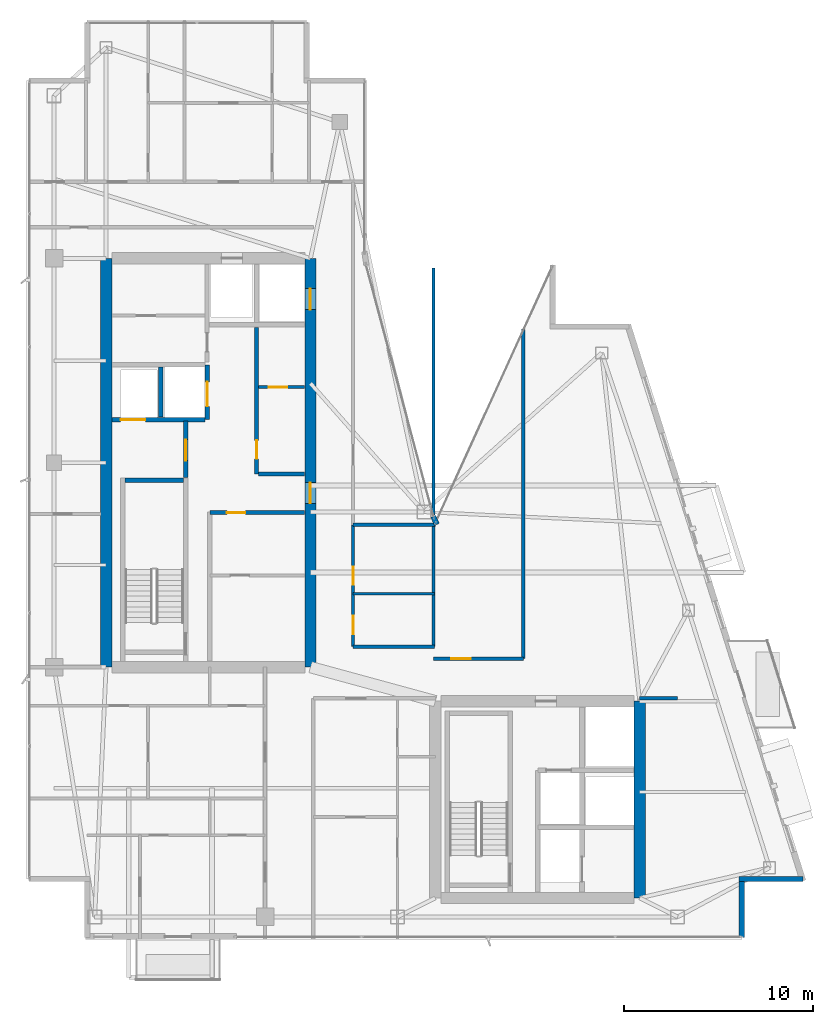
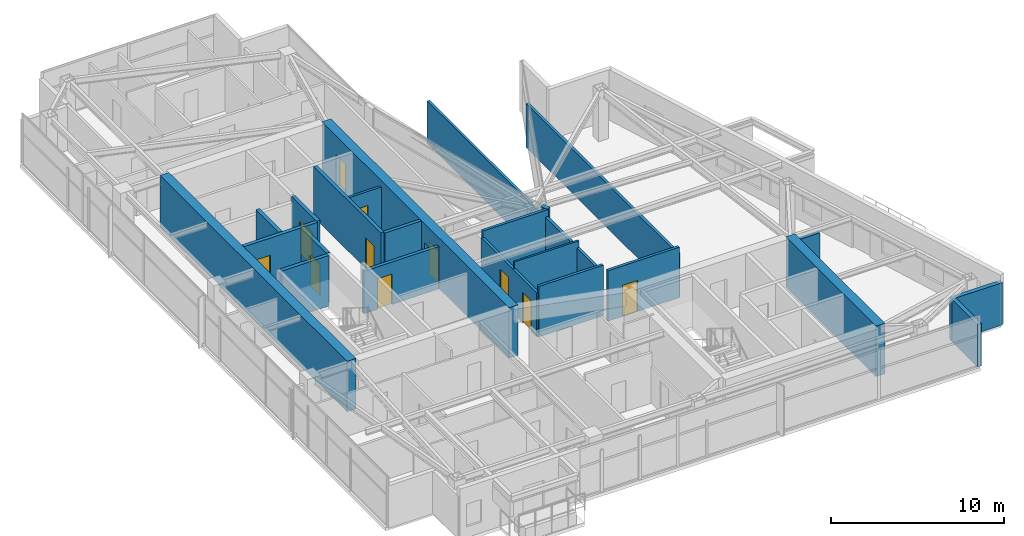
# One storey, part 23 of 27: 24 walls, 11 doors, 11 openings.
"""IFC4 building model written with IfcOpenShell, lengths in metres."""

from ifc_helpers import new_model, si_unit, direction, frame, frame_2d, origin, place, context, subcontext, project, spatial, rectangle, extrude, material, layer, layer_set, type_object, element, fill, save


model = new_model("IFC4")

# Units and contexts
model_context = context("Model", 3, precision=1e-05, world=origin(), true_north=direction((0.0, 1.0)))
body_context = subcontext(model_context, "Body", "Model", "MODEL_VIEW")
ifc_project = project(units=[si_unit("LENGTHUNIT", "METRE"), si_unit("AREAUNIT", "SQUARE_METRE"), si_unit("VOLUMEUNIT", "CUBIC_METRE"), si_unit("PLANEANGLEUNIT", "RADIAN"), si_unit("MASSUNIT", "GRAM", prefix="KILO")], contexts=[model_context])

# Site, building, storey
site_placement = place(None, origin())
site = spatial("IfcSite", under=ifc_project, at=site_placement, CompositionType="ELEMENT")
building_placement = place(site_placement, origin())
building = spatial("IfcBuilding", under=site, at=building_placement, Name="Calvorn Quay Hotel", CompositionType="ELEMENT")
storey_placement = place(building_placement, frame((0.0, 0.0, 298.699951171875)))
storey = spatial("IfcBuildingStorey", under=building, at=storey_placement, Name="L74", CompositionType="ELEMENT", Elevation=298.699951171875)

# Wall
ifc_material_1 = material(Name="Concrete C45", Category="concrete")
ifc_layer_1 = layer(ifc_material_1, 0.60009765625)
ifc_layer_set_1 = layer_set([ifc_layer_1], Name="WL-CORE-600")
wall_type_1 = type_object("IfcWallType", Name="WL-CORE-600", PredefinedType="SHEAR", material=ifc_layer_set_1)
wall_1_placement = place(storey_placement, frame((4.199951171875, 16.800048828125, 0.0), z_axis=(0.0, 0.0, 1.0), x_axis=(0.0, 1.0, 0.0)))
element("IfcWall", 1, at=wall_1_placement, inside=storey, type_object=wall_type_1, Name="West Core Shear Wall W (L74)", PredefinedType="SHEAR", context=body_context, shape_type="SweptSolid", body=[
    extrude(rectangle(XDim=21.599853515625, YDim=0.60009765625, at=frame_2d((10.7998046875, 0.0))), origin(), (0.0, 0.0, 1.0), 3.56005859375),
])

# Wall, openings, doors
wall_2_placement = place(storey_placement, frame((15.0, 16.800048828125, 0.0), z_axis=(0.0, 0.0, 1.0), x_axis=(0.0, 1.0, 0.0)))
wall_2 = element("IfcWall", 2, at=wall_2_placement, inside=storey, type_object=wall_type_1, Name="West Core Shear Wall E (L74)", PredefinedType="SHEAR", context=body_context, shape_type="SweptSolid", body=[
    extrude(rectangle(XDim=21.599853515625, YDim=0.60009765625, at=frame_2d((10.7998046875, 0.0))), origin(), (0.0, 0.0, 1.0), 3.56005859375),
])
opening_1_placement = place(wall_2_placement, frame((8.64990234375, 0.0, 0.0)))
opening_1 = element("IfcOpeningElement", 3, at=opening_1_placement, cuts=wall_2, Name="Opening D-L74-CW1", PredefinedType="OPENING", context=body_context, shape_type="SweptSolid", body=[
    extrude(rectangle(XDim=1.10009765625, YDim=2.199951171875, at=frame_2d((0.550048828125, 1.10009765625))), frame((0.0, 0.31005859375, 0.0), z_axis=(0.0, -1.0, 0.0), x_axis=(1.0, 0.0, 0.0)), (0.0, 0.0, 1.0), 0.6201171875),
])
opening_2_placement = place(wall_2_placement, frame((18.89990234375, 0.0, 0.0)))
opening_2 = element("IfcOpeningElement", 4, at=opening_2_placement, cuts=wall_2, Name="Opening LD-L74-H1", PredefinedType="OPENING", context=body_context, shape_type="SweptSolid", body=[
    extrude(rectangle(XDim=1.10009765625, YDim=2.199951171875, at=frame_2d((0.550048828125, 1.10009765625))), frame((0.0, 0.31005859375, 0.0), z_axis=(0.0, -1.0, 0.0), x_axis=(1.0, 0.0, 0.0)), (0.0, 0.0, 1.0), 0.6201171875),
])
ifc_material_2 = material(Name="Smoke-Sealed Steel Class A Fire Door", Category="steel")
door_type_1 = type_object("IfcDoorType", Name="DR-FFLOBBY-1100", OperationType="NOTDEFINED", PredefinedType="DOOR", material=ifc_material_2)
door_1_placement = place(opening_1_placement, origin())
door_1 = element("IfcDoor", 5, at=door_1_placement, inside=storey, type_object=door_type_1, Name="West Core Vestibule Fire Door (L74)", OperationType="SINGLE_SWING_LEFT", OverallHeight=2.199951171875, OverallWidth=1.10009765625, PredefinedType="DOOR", context=body_context, shape_type="SweptSolid", body=[
    extrude(rectangle(XDim=1.10009765625, YDim=2.199951171875, at=frame_2d((0.550048828125, 1.10009765625))), frame((0.0, 0.02490234375, 0.0), z_axis=(0.0, -1.0, 0.0), x_axis=(1.0, 0.0, 0.0)), (0.0, 0.0, 1.0), 0.050048828125),
])
fill(opening_1, door_1)
ifc_material_3 = material(Name="Brushed Stainless Steel Sliding Lift Landing Door", Category="steel")
door_type_2 = type_object("IfcDoorType", Name="DR-LIFT-PASS-1100", OperationType="NOTDEFINED", PredefinedType="DOOR", material=ifc_material_3)
door_2_placement = place(opening_2_placement, origin())
door_2 = element("IfcDoor", 6, at=door_2_placement, inside=storey, type_object=door_type_2, Name="High-Rise Lift PL-H1 Landing Door (L74)", OperationType="DOUBLE_DOOR_SLIDING", OverallHeight=2.199951171875, OverallWidth=1.10009765625, PredefinedType="DOOR", context=body_context, shape_type="SweptSolid", body=[
    extrude(rectangle(XDim=1.10009765625, YDim=2.199951171875, at=frame_2d((0.550048828125, 1.10009765625))), frame((0.0, 0.02490234375, 0.0), z_axis=(0.0, -1.0, 0.0), x_axis=(1.0, 0.0, 0.0)), (0.0, 0.0, 1.0), 0.050048828125),
])
fill(opening_2, door_2)

# Walls
wall_3_placement = place(storey_placement, frame((32.39990234375, 4.60009765625, 0.0), z_axis=(0.0, 0.0, 1.0), x_axis=(0.0, 1.0, 0.0)))
element("IfcWall", 7, at=wall_3_placement, inside=storey, type_object=wall_type_1, Name="East Core Shear Wall E (L74)", PredefinedType="SHEAR", context=body_context, shape_type="SweptSolid", body=[
    extrude(rectangle(XDim=10.39990234375, YDim=0.60009765625, at=frame_2d((5.199951171875, 0.0))), origin(), (0.0, 0.0, 1.0), 3.56005859375),
])
ifc_material_4 = material(Name="Acoustic Fireboard Steel-Stud Partition", Category="steel")
ifc_layer_2 = layer(ifc_material_4, 0.179931640625)
ifc_layer_set_2 = layer_set([ifc_layer_2], Name="WL-CORR-FIRE-180")
wall_type_2 = type_object("IfcWallType", Name="WL-CORR-FIRE-180", PredefinedType="PARTITIONING", material=ifc_layer_set_2)
wall_4_placement = place(storey_placement, frame((17.25, 17.8798828125, 0.0), z_axis=(0.0, 0.0, 1.0), x_axis=(1.0, 0.0, 0.0)))
element("IfcWall", 8, at=wall_4_placement, inside=storey, type_object=wall_type_2, Name="Partition Wall L74-WL-HK-S", PredefinedType="PARTITIONING", context=body_context, shape_type="SweptSolid", body=[
    extrude(rectangle(XDim=4.300048828125, YDim=0.179931640625, at=frame_2d((2.14990234375, 0.0))), origin(), (0.0, 0.0, 1.0), 3.56005859375),
])
wall_5_placement = place(storey_placement, frame((17.25, 24.320068359375, 0.0), z_axis=(0.0, 0.0, 1.0), x_axis=(1.0, 0.0, 0.0)))
element("IfcWall", 9, at=wall_5_placement, inside=storey, type_object=wall_type_2, Name="Partition Wall L74-WL-HK-N", PredefinedType="PARTITIONING", context=body_context, shape_type="SweptSolid", body=[
    extrude(rectangle(XDim=4.35009765625, YDim=0.179931640625, at=frame_2d((2.175048828125, 0.0))), origin(), (0.0, 0.0, 1.0), 3.56005859375),
])
wall_6_placement = place(storey_placement, frame((21.5, 17.8798828125, 0.0), z_axis=(0.0, 0.0, 1.0), x_axis=(0.0, 1.0, 0.0)))
element("IfcWall", 10, at=wall_6_placement, inside=storey, type_object=wall_type_2, Name="Partition Wall L74-WL-HK-E", PredefinedType="PARTITIONING", context=body_context, shape_type="SweptSolid", body=[
    extrude(rectangle(XDim=6.440185546875, YDim=0.179931640625, at=frame_2d((3.22021484375, 0.0))), origin(), (0.0, 0.0, 1.0), 3.090087890625),
])

# Wall, openings, doors
wall_7_placement = place(storey_placement, frame((17.25, 17.8798828125, 0.0), z_axis=(0.0, 0.0, 1.0), x_axis=(0.0, 1.0, 0.0)))
wall_7 = element("IfcWall", 11, at=wall_7_placement, inside=storey, type_object=wall_type_2, Name="Partition Wall L74-WL-HK-W", PredefinedType="PARTITIONING", context=body_context, shape_type="SweptSolid", body=[
    extrude(rectangle(XDim=6.440185546875, YDim=0.179931640625, at=frame_2d((3.22021484375, 0.0))), origin(), (0.0, 0.0, 1.0), 3.090087890625),
])
opening_3_placement = place(wall_7_placement, frame((0.64990234375, 0.0, 0.0)))
opening_3 = element("IfcOpeningElement", 12, at=opening_3_placement, cuts=wall_7, Name="Opening D-L74-HK", PredefinedType="OPENING", context=body_context, shape_type="SweptSolid", body=[
    extrude(rectangle(XDim=0.97998046875, YDim=2.14990234375, at=frame_2d((0.489990234375, 1.074951171875))), frame((0.0, 0.099853515625, 0.0), z_axis=(0.0, -1.0, 0.0), x_axis=(1.0, 0.0, 0.0)), (0.0, 0.0, 1.0), 0.199951171875),
])
opening_4_placement = place(wall_7_placement, frame((3.27001953125, 0.0, 0.0)))
opening_4 = element("IfcOpeningElement", 13, at=opening_4_placement, cuts=wall_7, Name="Opening D-L74-NCP", PredefinedType="OPENING", context=body_context, shape_type="SweptSolid", body=[
    extrude(rectangle(XDim=0.9599609375, YDim=2.199951171875, at=frame_2d((0.47998046875, 1.10009765625))), frame((0.0, 0.099853515625, 0.0), z_axis=(0.0, -1.0, 0.0), x_axis=(1.0, 0.0, 0.0)), (0.0, 0.0, 1.0), 0.199951171875),
])
ifc_material_5 = material(Name="Painted Steel Housekeeping/Riser Fire Door", Category="steel")
door_type_3 = type_object("IfcDoorType", Name="DR-SERVICE-980", OperationType="NOTDEFINED", PredefinedType="DOOR", material=ifc_material_5)
door_3_placement = place(opening_3_placement, origin())
door_3 = element("IfcDoor", 14, at=door_3_placement, inside=storey, type_object=door_type_3, Name="Floor Housekeeping Door (L74)", OperationType="SINGLE_SWING_LEFT", OverallHeight=2.14990234375, OverallWidth=0.97998046875, PredefinedType="DOOR", context=body_context, shape_type="SweptSolid", body=[
    extrude(rectangle(XDim=0.97998046875, YDim=2.14990234375, at=frame_2d((0.489990234375, 1.074951171875))), frame((0.0, 0.02490234375, 0.0), z_axis=(0.0, -1.0, 0.0), x_axis=(1.0, 0.0, 0.0)), (0.0, 0.0, 1.0), 0.050048828125),
])
fill(opening_3, door_3)
ifc_material_6 = material(Name="Solid Timber Internal Suite Door", Category="wood")
door_type_4 = type_object("IfcDoorType", Name="DR-SUITE-INT-960", OperationType="NOTDEFINED", PredefinedType="DOOR", material=ifc_material_6)
door_4_placement = place(opening_4_placement, origin())
door_4 = element("IfcDoor", 15, at=door_4_placement, inside=storey, type_object=door_type_4, Name="Reading Alcove Door (L74)", OperationType="SINGLE_SWING_RIGHT", OverallHeight=2.199951171875, OverallWidth=0.9599609375, PredefinedType="DOOR", context=body_context, shape_type="SweptSolid", body=[
    extrude(rectangle(XDim=0.9599609375, YDim=2.199951171875, at=frame_2d((0.47998046875, 1.10009765625))), frame((0.0, 0.02490234375, 0.0), z_axis=(0.0, -1.0, 0.0), x_axis=(1.0, 0.0, 0.0)), (0.0, 0.0, 1.0), 0.050048828125),
])
fill(opening_4, door_4)

# Wall
wall_8_placement = place(storey_placement, frame((32.39990234375, 15.14990234375, 0.0), z_axis=(0.0, 0.0, 1.0), x_axis=(1.0, 0.0, 0.0)))
element("IfcWall", 16, at=wall_8_placement, inside=storey, type_object=wall_type_2, Name="Partition Wall L74-WL-CORR-SE-S", PredefinedType="PARTITIONING", context=body_context, shape_type="SweptSolid", body=[
    extrude(rectangle(XDim=2.0, YDim=0.179931640625, at=frame_2d((1.0, 0.0))), origin(), (0.0, 0.0, 1.0), 2.989990234375),
])

# Wall, opening, door
wall_9_placement = place(storey_placement, frame((21.5, 17.25, 0.0), z_axis=(0.0, 0.0, 1.0), x_axis=(1.0, 0.0, 0.0)))
wall_9 = element("IfcWall", 17, at=wall_9_placement, inside=storey, type_object=wall_type_2, Name="Partition Wall L74-WL-CORR-NE-N", PredefinedType="PARTITIONING", context=body_context, shape_type="SweptSolid", body=[
    extrude(rectangle(XDim=4.75, YDim=0.179931640625, at=frame_2d((2.375, 0.0))), origin(), (0.0, 0.0, 1.0), 3.56005859375),
])
opening_5_placement = place(wall_9_placement, frame((0.949951171875, 0.0, 0.0)))
opening_5 = element("IfcOpeningElement", 18, at=opening_5_placement, cuts=wall_9, Name="Opening D-L74-NS1", PredefinedType="OPENING", context=body_context, shape_type="SweptSolid", body=[
    extrude(rectangle(XDim=1.02001953125, YDim=2.199951171875, at=frame_2d((0.510009765625, 1.10009765625))), frame((0.0, 0.099853515625, 0.0), z_axis=(0.0, -1.0, 0.0), x_axis=(1.0, 0.0, 0.0)), (0.0, 0.0, 1.0), 0.199951171875),
])
ifc_material_7 = material(Name="Solid-Core Walnut Veneer Hotel Fire Door")
door_type_5 = type_object("IfcDoorType", Name="DR-GUEST-ENTRY-1020", OperationType="NOTDEFINED", PredefinedType="DOOR", material=ifc_material_7)
door_5_placement = place(opening_5_placement, origin())
door_5 = element("IfcDoor", 19, at=door_5_placement, inside=storey, type_object=door_type_5, Name="Conservatory Salon Door 1 (L74)", OperationType="SINGLE_SWING_RIGHT", OverallHeight=2.199951171875, OverallWidth=1.02001953125, PredefinedType="DOOR", context=body_context, shape_type="SweptSolid", body=[
    extrude(rectangle(XDim=1.02001953125, YDim=2.199951171875, at=frame_2d((0.510009765625, 1.10009765625))), frame((0.0, 0.02490234375, 0.0), z_axis=(0.0, -1.0, 0.0), x_axis=(1.0, 0.0, 0.0)), (0.0, 0.0, 1.0), 0.050048828125),
])
fill(opening_5, door_5)

# Walls
wall_10_placement = place(storey_placement, frame((26.25, 17.25, 0.0), z_axis=(0.0, 0.0, 1.0), x_axis=(0.0, 1.0, 0.0)))
element("IfcWall", 20, at=wall_10_placement, inside=storey, type_object=wall_type_2, Name="Partition Wall L74-WL-NE-END-E", PredefinedType="PARTITIONING", context=body_context, shape_type="SweptSolid", body=[
    extrude(rectangle(XDim=17.429931640625, YDim=0.179931640625, at=frame_2d((8.71484375, 0.0))), origin(), (0.0, 0.0, 1.0), 3.090087890625),
])
ifc_material_8 = material(Name="Moisture-Resistant Tile-Backed Partition")
ifc_layer_3 = layer(ifc_material_8, 0.125)
ifc_layer_set_3 = layer_set([ifc_layer_3], Name="WL-ENSUITE-125")
wall_type_3 = type_object("IfcWallType", Name="WL-ENSUITE-125", PredefinedType="PARTITIONING", material=ifc_layer_set_3)
wall_11_placement = place(storey_placement, frame((17.25, 20.679931640625, 0.0), z_axis=(0.0, 0.0, 1.0), x_axis=(1.0, 0.0, 0.0)))
element("IfcWall", 21, at=wall_11_placement, inside=storey, type_object=wall_type_3, Name="Partition Wall L74-WL-HK-M", PredefinedType="PARTITIONING", context=body_context, shape_type="SweptSolid", body=[
    extrude(rectangle(XDim=4.300048828125, YDim=0.125, at=frame_2d((2.14990234375, 0.0))), origin(), (0.0, 0.0, 1.0), 3.56005859375),
])
ifc_material_9 = material(Name="Concrete C40", Category="concrete")
ifc_layer_4 = layer(ifc_material_9, 0.320068359375)
ifc_layer_set_4 = layer_set([ifc_layer_4], Name="WL-EXT-SPANDREL-320")
wall_type_4 = type_object("IfcWallType", Name="WL-EXT-SPANDREL-320", PredefinedType="SOLIDWALL", material=ifc_layer_set_4)
wall_12_placement = place(storey_placement, frame((21.679931640625, 24.340087890625, 0.0), z_axis=(0.0, 0.0, 1.0), x_axis=(-0.40758134973, 0.913168901875, 0.0)))
element("IfcWall", 22, at=wall_12_placement, inside=storey, type_object=wall_type_4, Name="Inner Court Corner Pier L74-ICJ1", PredefinedType="SOLIDWALL", context=body_context, shape_type="SweptSolid", body=[
    extrude(rectangle(XDim=0.470703125, YDim=0.280029296875, at=frame_2d((0.2353515625, 0.0))), origin(), (0.0, 0.0, 1.0), 3.56005859375),
])
wall_13_placement = place(storey_placement, frame((37.800048828125, 2.52001953125, 0.0), z_axis=(0.0, 0.0, 1.0), x_axis=(0.0, 1.0, 0.0)))
element("IfcWall", 23, at=wall_13_placement, inside=storey, type_object=wall_type_4, Name="Notched Corner Spandrel L74-SE1", PredefinedType="SOLIDWALL", context=body_context, shape_type="SweptSolid", body=[
    extrude(rectangle(XDim=2.93994140625, YDim=0.280029296875, at=frame_2d((1.469970703125, 0.0))), origin(), (0.0, 0.0, 1.0), 2.989990234375),
])
wall_14_placement = place(storey_placement, frame((37.659912109375, 5.60009765625, 0.0), z_axis=(0.0, 0.0, 1.0), x_axis=(1.0, 0.0, 0.0)))
element("IfcWall", 24, at=wall_14_placement, inside=storey, type_object=wall_type_4, Name="Notched Corner Spandrel L74-SE2", PredefinedType="SOLIDWALL", context=body_context, shape_type="SweptSolid", body=[
    extrude(rectangle(XDim=3.380126953125, YDim=0.280029296875, at=frame_2d((1.68994140625, 0.0))), origin(), (0.0, 0.0, 1.0), 2.989990234375),
])

# Wall, opening, door
ifc_material_10 = material(Name="Double-Stud Acoustic Gypsum Partition")
ifc_layer_5 = layer(ifc_material_10, 0.159912109375)
ifc_layer_set_5 = layer_set([ifc_layer_5], Name="WL-INTERSUITE-160")
wall_type_5 = type_object("IfcWallType", Name="WL-INTERSUITE-160", PredefinedType="PARTITIONING", material=ifc_layer_set_5)
wall_15_placement = place(storey_placement, frame((12.25, 31.60009765625, 0.0), z_axis=(0.0, 0.0, 1.0), x_axis=(1.0, 0.0, 0.0)))
wall_15 = element("IfcWall", 25, at=wall_15_placement, inside=storey, type_object=wall_type_5, Name="Partition Wall L74-WL-CWW-FM-SPLIT", PredefinedType="PARTITIONING", context=body_context, shape_type="SweptSolid", body=[
    extrude(rectangle(XDim=2.429931640625, YDim=0.159912109375, at=frame_2d((1.21484375, 0.0))), origin(), (0.0, 0.0, 1.0), 3.14013671875),
])
opening_6_placement = place(wall_15_placement, frame((0.550048828125, 0.0, 0.0)))
opening_6 = element("IfcOpeningElement", 26, at=opening_6_placement, cuts=wall_15, Name="Opening D-L74-FM2", PredefinedType="OPENING", context=body_context, shape_type="SweptSolid", body=[
    extrude(rectangle(XDim=0.97998046875, YDim=2.14990234375, at=frame_2d((0.489990234375, 1.074951171875))), frame((0.0, 0.08984375, 0.0), z_axis=(0.0, -1.0, 0.0), x_axis=(1.0, 0.0, 0.0)), (0.0, 0.0, 1.0), 0.179931640625),
])
door_6_placement = place(opening_6_placement, origin())
door_6 = element("IfcDoor", 27, at=door_6_placement, inside=storey, type_object=door_type_3, Name="Comms Room Door (L74)", OperationType="SINGLE_SWING_LEFT", OverallHeight=2.14990234375, OverallWidth=0.97998046875, PredefinedType="DOOR", context=body_context, shape_type="SweptSolid", body=[
    extrude(rectangle(XDim=0.97998046875, YDim=2.14990234375, at=frame_2d((0.489990234375, 1.074951171875))), frame((0.0, 0.02490234375, 0.0), z_axis=(0.0, -1.0, 0.0), x_axis=(1.0, 0.0, 0.0)), (0.0, 0.0, 1.0), 0.050048828125),
])
fill(opening_6, door_6)

# Wall
wall_16_placement = place(storey_placement, frame((21.5, 24.85009765625, 0.0), z_axis=(0.0, 0.0, 1.0), x_axis=(0.0, 1.0, 0.0)))
element("IfcWall", 28, at=wall_16_placement, inside=storey, type_object=wall_type_5, Name="Partition Wall L74-WL-NC-UPPER-E", PredefinedType="PARTITIONING", context=body_context, shape_type="SweptSolid", body=[
    extrude(rectangle(XDim=13.0498046875, YDim=0.159912109375, at=frame_2d((6.52490234375, 0.0))), origin(), (0.0, 0.0, 1.0), 2.989990234375),
])

# Wall, opening, door
ifc_material_11 = material(Name="Autoclaved Aerated Masonry Block", Category="masonry")
ifc_layer_6 = layer(ifc_material_11, 0.219970703125)
ifc_layer_set_6 = layer_set([ifc_layer_6], Name="WL-LOBBY-FIRE-220")
wall_type_6 = type_object("IfcWallType", Name="WL-LOBBY-FIRE-220", PredefinedType="SOLIDWALL", material=ifc_layer_set_6)
wall_17_placement = place(storey_placement, frame((9.679931640625, 24.969970703125, 0.0), z_axis=(0.0, 0.0, 1.0), x_axis=(1.0, 0.0, 0.0)))
wall_17 = element("IfcWall", 29, at=wall_17_placement, inside=storey, type_object=wall_type_6, Name="Partition Wall L74-WL-CWW-FR-N", PredefinedType="SOLIDWALL", context=body_context, shape_type="SweptSolid", body=[
    extrude(rectangle(XDim=5.0, YDim=0.219970703125, at=frame_2d((2.5, 0.0))), origin(), (0.0, 0.0, 1.0), 2.989990234375),
])
opening_7_placement = place(wall_17_placement, frame((0.89990234375, 0.0, 0.0)))
opening_7 = element("IfcOpeningElement", 30, at=opening_7_placement, cuts=wall_17, Name="Opening D-L74-FRL2", PredefinedType="OPENING", context=body_context, shape_type="SweptSolid", body=[
    extrude(rectangle(XDim=0.97998046875, YDim=2.14990234375, at=frame_2d((0.489990234375, 1.074951171875))), frame((0.0, 0.119873046875, 0.0), z_axis=(0.0, -1.0, 0.0), x_axis=(1.0, 0.0, 0.0)), (0.0, 0.0, 1.0), 0.239990234375),
])
door_7_placement = place(opening_7_placement, origin())
door_7 = element("IfcDoor", 31, at=door_7_placement, inside=storey, type_object=door_type_3, Name="Beverage Pantry Door (L74)", OperationType="SINGLE_SWING_RIGHT", OverallHeight=2.14990234375, OverallWidth=0.97998046875, PredefinedType="DOOR", context=body_context, shape_type="SweptSolid", body=[
    extrude(rectangle(XDim=0.97998046875, YDim=2.14990234375, at=frame_2d((0.489990234375, 1.074951171875))), frame((0.0, 0.02490234375, 0.0), z_axis=(0.0, -1.0, 0.0), x_axis=(1.0, 0.0, 0.0)), (0.0, 0.0, 1.0), 0.050048828125),
])
fill(opening_7, door_7)

# Wall
wall_18_placement = place(storey_placement, frame((12.25, 27.0, 0.0), z_axis=(0.0, 0.0, 1.0), x_axis=(1.0, 0.0, 0.0)))
element("IfcWall", 32, at=wall_18_placement, inside=storey, type_object=wall_type_6, Name="Partition Wall L74-WL-CWW-FM-S", PredefinedType="SOLIDWALL", context=body_context, shape_type="SweptSolid", body=[
    extrude(rectangle(XDim=2.429931640625, YDim=0.219970703125, at=frame_2d((1.21484375, 0.0))), origin(), (0.0, 0.0, 1.0), 3.56005859375),
])

# Wall, opening, door
wall_19_placement = place(storey_placement, frame((12.14990234375, 27.0, 0.0), z_axis=(0.0, 0.0, 1.0), x_axis=(0.0, 1.0, 0.0)))
wall_19 = element("IfcWall", 33, at=wall_19_placement, inside=storey, type_object=wall_type_6, Name="Partition Wall L74-WL-CWW-FM-W", PredefinedType="SOLIDWALL", context=body_context, shape_type="SweptSolid", body=[
    extrude(rectangle(XDim=7.75, YDim=0.219970703125, at=frame_2d((3.875, 0.0))), origin(), (0.0, 0.0, 1.0), 3.56005859375),
])
opening_8_placement = place(wall_19_placement, frame((0.800048828125, 0.0, 0.0)))
opening_8 = element("IfcOpeningElement", 34, at=opening_8_placement, cuts=wall_19, Name="Opening D-L74-FM1", PredefinedType="OPENING", context=body_context, shape_type="SweptSolid", body=[
    extrude(rectangle(XDim=0.97998046875, YDim=2.14990234375, at=frame_2d((0.489990234375, 1.074951171875))), frame((0.0, 0.119873046875, 0.0), z_axis=(0.0, -1.0, 0.0), x_axis=(1.0, 0.0, 0.0)), (0.0, 0.0, 1.0), 0.239990234375),
])
door_8_placement = place(opening_8_placement, origin())
door_8 = element("IfcDoor", 35, at=door_8_placement, inside=storey, type_object=door_type_3, Name="Butler Pantry Door (L74)", OperationType="SINGLE_SWING_RIGHT", OverallHeight=2.14990234375, OverallWidth=0.97998046875, PredefinedType="DOOR", context=body_context, shape_type="SweptSolid", body=[
    extrude(rectangle(XDim=0.97998046875, YDim=2.14990234375, at=frame_2d((0.489990234375, 1.074951171875))), frame((0.0, 0.02490234375, 0.0), z_axis=(0.0, -1.0, 0.0), x_axis=(1.0, 0.0, 0.0)), (0.0, 0.0, 1.0), 0.050048828125),
])
fill(opening_8, door_8)

# Wall
ifc_material_12 = material(Name="Concrete C40", Category="concrete")
ifc_layer_7 = layer(ifc_material_12, 0.239990234375)
ifc_layer_set_7 = layer_set([ifc_layer_7], Name="WL-SHAFT-240")
wall_type_7 = type_object("IfcWallType", Name="WL-SHAFT-240", PredefinedType="SOLIDWALL", material=ifc_layer_set_7)
wall_20_placement = place(storey_placement, frame((5.199951171875, 26.669921875, 0.0), z_axis=(0.0, 0.0, 1.0), x_axis=(1.0, 0.0, 0.0)))
element("IfcWall", 36, at=wall_20_placement, inside=storey, type_object=wall_type_7, Name="Stair STW Shaft Wall N (L74)", PredefinedType="SOLIDWALL", context=body_context, shape_type="SweptSolid", body=[
    extrude(rectangle(XDim=3.10009765625, YDim=0.239990234375, at=frame_2d((1.550048828125, 0.0))), origin(), (0.0, 0.0, 1.0), 3.56005859375),
])

# Wall, opening, door
wall_21_placement = place(storey_placement, frame((8.419921875, 26.820068359375, 0.0), z_axis=(0.0, 0.0, 1.0), x_axis=(0.0, 1.0, 0.0)))
wall_21 = element("IfcWall", 37, at=wall_21_placement, inside=storey, type_object=wall_type_7, Name="Partition Wall L74-WL-CWW-FFL-E", PredefinedType="SOLIDWALL", context=body_context, shape_type="SweptSolid", body=[
    extrude(rectangle(XDim=3.0, YDim=0.239990234375, at=frame_2d((1.5, 0.0))), origin(), (0.0, 0.0, 1.0), 3.56005859375),
])
opening_9_placement = place(wall_21_placement, frame((0.89990234375, 0.0, 0.0)))
opening_9 = element("IfcOpeningElement", 38, at=opening_9_placement, cuts=wall_21, Name="Opening D-L74-FLW", PredefinedType="OPENING", context=body_context, shape_type="SweptSolid", body=[
    extrude(rectangle(XDim=1.10009765625, YDim=2.199951171875, at=frame_2d((0.550048828125, 1.10009765625))), frame((0.0, 0.1298828125, 0.0), z_axis=(0.0, -1.0, 0.0), x_axis=(1.0, 0.0, 0.0)), (0.0, 0.0, 1.0), 0.260009765625),
])
door_9_placement = place(opening_9_placement, origin())
door_9 = element("IfcDoor", 39, at=door_9_placement, inside=storey, type_object=door_type_1, Name="West Firefighting Lobby Fire Door (L74)", OperationType="SINGLE_SWING_RIGHT", OverallHeight=2.199951171875, OverallWidth=1.10009765625, PredefinedType="DOOR", context=body_context, shape_type="SweptSolid", body=[
    extrude(rectangle(XDim=1.10009765625, YDim=2.199951171875, at=frame_2d((0.550048828125, 1.10009765625))), frame((0.0, 0.02490234375, 0.0), z_axis=(0.0, -1.0, 0.0), x_axis=(1.0, 0.0, 0.0)), (0.0, 0.0, 1.0), 0.050048828125),
])
fill(opening_9, door_9)

wall_22_placement = place(storey_placement, frame((4.52001953125, 29.8798828125, 0.0), z_axis=(0.0, 0.0, 1.0), x_axis=(1.0, 0.0, 0.0)))
wall_22 = element("IfcWall", 40, at=wall_22_placement, inside=storey, type_object=wall_type_7, Name="Partition Wall L74-WL-CWW-FLW-S", PredefinedType="SOLIDWALL", context=body_context, shape_type="SweptSolid", body=[
    extrude(rectangle(XDim=4.89990234375, YDim=0.239990234375, at=frame_2d((2.449951171875, 0.0))), origin(), (0.0, 0.0, 1.0), 3.56005859375),
])
opening_10_placement = place(wall_22_placement, frame((0.449951171875, 0.0, 0.0)))
opening_10 = element("IfcOpeningElement", 41, at=opening_10_placement, cuts=wall_22, Name="Opening LD-L74-FLW1", PredefinedType="OPENING", context=body_context, shape_type="SweptSolid", body=[
    extrude(rectangle(XDim=1.300048828125, YDim=2.35009765625, at=frame_2d((0.64990234375, 1.175048828125))), frame((0.0, 0.1298828125, 0.0), z_axis=(0.0, -1.0, 0.0), x_axis=(1.0, 0.0, 0.0)), (0.0, 0.0, 1.0), 0.260009765625),
])
ifc_material_13 = material(Name="Champagne-Bronze Sliding Express Lift Landing Door")
door_type_6 = type_object("IfcDoorType", Name="DR-LIFT-SHUTTLE-1300", OperationType="NOTDEFINED", PredefinedType="DOOR", material=ifc_material_13)
door_10_placement = place(opening_10_placement, origin())
door_10 = element("IfcDoor", 42, at=door_10_placement, inside=storey, type_object=door_type_6, Name="Firefighting Lift FL-W1 Landing Door (L74)", OperationType="DOUBLE_DOOR_SLIDING", OverallHeight=2.35009765625, OverallWidth=1.300048828125, PredefinedType="DOOR", context=body_context, shape_type="SweptSolid", body=[
    extrude(rectangle(XDim=1.300048828125, YDim=2.35009765625, at=frame_2d((0.64990234375, 1.175048828125))), frame((0.0, 0.02490234375, 0.0), z_axis=(0.0, -1.0, 0.0), x_axis=(1.0, 0.0, 0.0)), (0.0, 0.0, 1.0), 0.050048828125),
])
fill(opening_10, door_10)

# Wall
wall_23_placement = place(storey_placement, frame((7.10009765625, 30.02001953125, 0.0), z_axis=(0.0, 0.0, 1.0), x_axis=(0.0, 1.0, 0.0)))
element("IfcWall", 43, at=wall_23_placement, inside=storey, type_object=wall_type_7, Name="Partition Wall L74-WL-CWW-FLW-DIV", PredefinedType="SOLIDWALL", context=body_context, shape_type="SweptSolid", body=[
    extrude(rectangle(XDim=2.6298828125, YDim=0.239990234375, at=frame_2d((1.31494140625, 0.0))), origin(), (0.0, 0.0, 1.0), 3.56005859375),
])

# Wall, opening, door
wall_24_placement = place(storey_placement, frame((9.5400390625, 29.8798828125, 0.0), z_axis=(0.0, 0.0, 1.0), x_axis=(0.0, 1.0, 0.0)))
wall_24 = element("IfcWall", 44, at=wall_24_placement, inside=storey, type_object=wall_type_7, Name="Partition Wall L74-WL-CWW-SLW-E", PredefinedType="SOLIDWALL", context=body_context, shape_type="SweptSolid", body=[
    extrude(rectangle(XDim=2.900146484375, YDim=0.239990234375, at=frame_2d((1.4501953125, 0.0))), origin(), (0.0, 0.0, 1.0), 3.56005859375),
])
opening_11_placement = place(wall_24_placement, frame((0.699951171875, 0.0, 0.0)))
opening_11 = element("IfcOpeningElement", 45, at=opening_11_placement, cuts=wall_24, Name="Opening LD-L74-SLW1", PredefinedType="OPENING", context=body_context, shape_type="SweptSolid", body=[
    extrude(rectangle(XDim=1.300048828125, YDim=2.35009765625, at=frame_2d((0.64990234375, 1.175048828125))), frame((0.0, 0.1298828125, 0.0), z_axis=(0.0, -1.0, 0.0), x_axis=(1.0, 0.0, 0.0)), (0.0, 0.0, 1.0), 0.260009765625),
])
door_11_placement = place(opening_11_placement, origin())
door_11 = element("IfcDoor", 46, at=door_11_placement, inside=storey, type_object=door_type_6, Name="Service Lift SL-W1 Landing Door (L74)", OperationType="DOUBLE_DOOR_SLIDING", OverallHeight=2.35009765625, OverallWidth=1.300048828125, PredefinedType="DOOR", context=body_context, shape_type="SweptSolid", body=[
    extrude(rectangle(XDim=1.300048828125, YDim=2.35009765625, at=frame_2d((0.64990234375, 1.175048828125))), frame((0.0, 0.02490234375, 0.0), z_axis=(0.0, -1.0, 0.0), x_axis=(1.0, 0.0, 0.0)), (0.0, 0.0, 1.0), 0.050048828125),
])
fill(opening_11, door_11)

save(model, "model.ifc")
